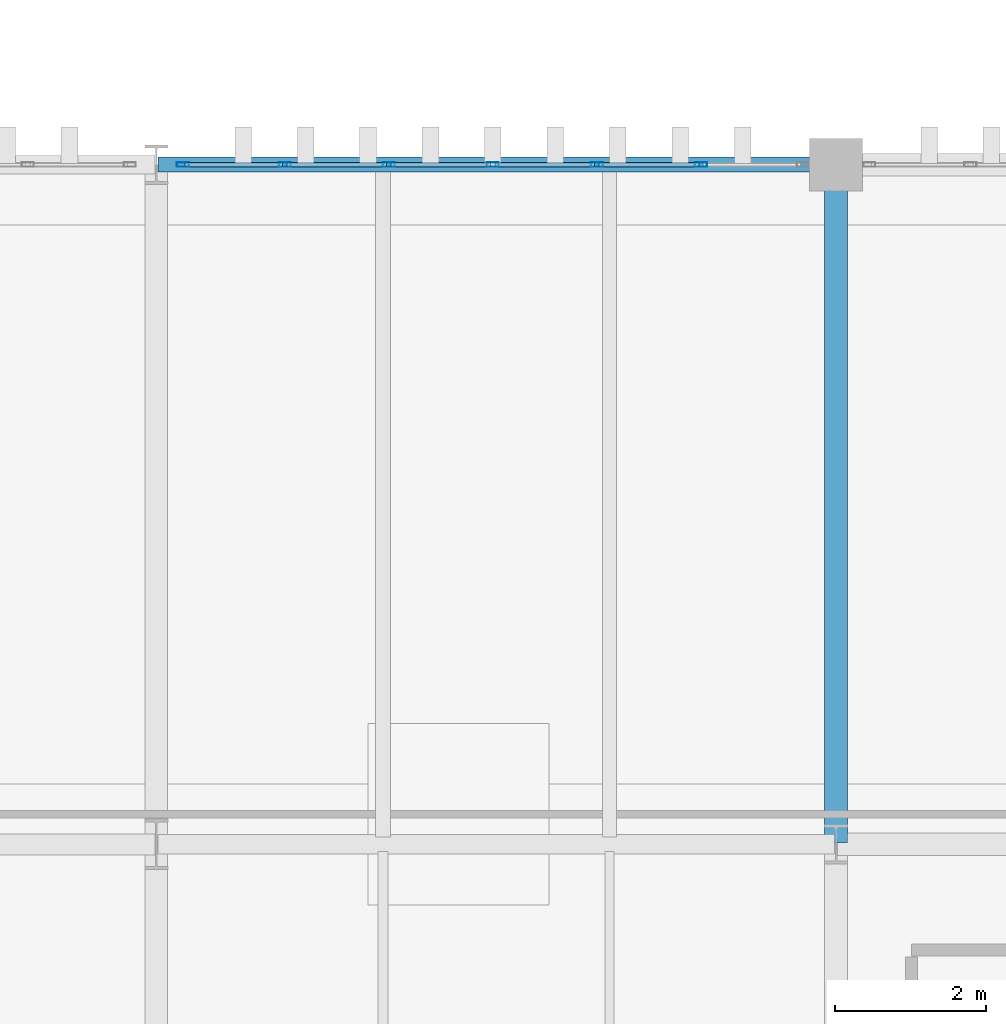
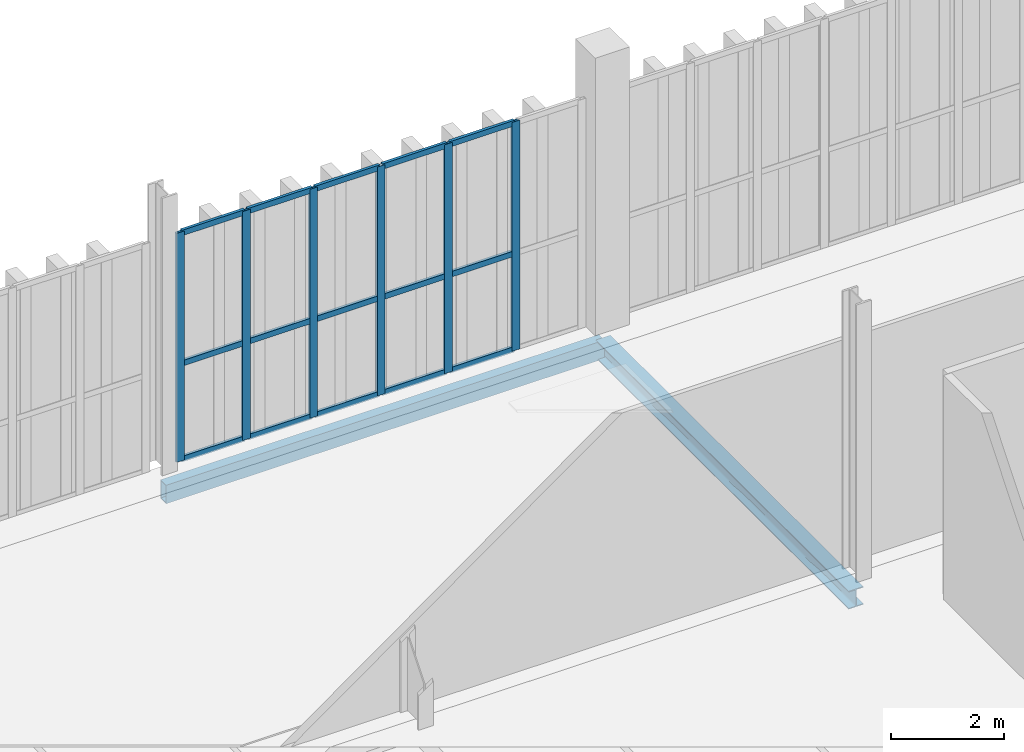
# One storey, part 95 of 211: 21 members, 2 beams, 1 element without a shape of its own.
"""IFC4 building model written with IfcOpenShell, lengths in metres."""

import ifcopenshell
import ifcopenshell.guid

model = None  # the IFC model being written
_history = None  # IfcOwnerHistory: only IFC2X3 demands one
_inside = {}  # id of a spatial element -> (the spatial element, [elements in it])
_under = {}  # id of a project, library or spatial element -> (it, [spatial elements below it])
_declared = {}  # id of a project -> (the project, [libraries it declares])
_typed = {}  # id of a type object -> (the type object, [elements of that type])
_made_of = {}  # id of a material, layer set ... -> (it, [elements and type objects made of it])


def new_model(schema):
    """Start an empty IFC model of exactly this schema.

    Asked for "IFC4X3", IfcOpenShell would pick the latest addendum, in which some entities
    have other attributes; the version numbers below select the first issue.
    IFC2X3 requires an IfcOwnerHistory on every rooted entity: one is made here for all.
    """
    global model, _history
    if schema == "IFC4X3":
        model = ifcopenshell.file(schema_version=(4, 3, 0, 0))
    else:
        model = ifcopenshell.file(schema=schema)
    _inside.clear()
    _under.clear()
    _declared.clear()
    _typed.clear()
    _made_of.clear()
    _history = None
    if model.schema == "IFC2X3":
        org = make("IfcOrganization", Name="unknown")
        user = make(
            "IfcPersonAndOrganization",
            ThePerson=make("IfcPerson", FamilyName="unknown"),
            TheOrganization=org,
        )
        app = make(
            "IfcApplication",
            ApplicationDeveloper=org,
            Version="unknown",
            ApplicationFullName="unknown",
            ApplicationIdentifier="unknown",
        )
        _history = make(
            "IfcOwnerHistory",
            OwningUser=user,
            OwningApplication=app,
            ChangeAction="ADDED",
            CreationDate=0,
        )
    return model


def make(cls, **values):
    """One entity of the class cls with the attributes given. An attribute that is None is left unset."""
    return model.create_entity(
        cls, **{name: value for name, value in values.items() if value is not None}
    )


def rooted(cls, **values):
    """An entity with a GlobalId (a new one), such as an element, a storey or a relation."""
    return make(cls, GlobalId=ifcopenshell.guid.new(), OwnerHistory=_history, **values)


def si_unit(unit_type, name, prefix=None):
    """IfcSIUnit, for example si_unit("LENGTHUNIT", "METRE", prefix="MILLI")."""
    return make("IfcSIUnit", UnitType=unit_type, Prefix=prefix, Name=name)


def assignment(units):
    """IfcUnitAssignment: the units of a project."""
    return None if units is None else make("IfcUnitAssignment", Units=units)


def point(xyz):
    """IfcCartesianPoint."""
    return None if xyz is None else make("IfcCartesianPoint", Coordinates=xyz)


def direction(xyz):
    """IfcDirection."""
    return None if xyz is None else make("IfcDirection", DirectionRatios=xyz)


def frame(location, z_axis=None, x_axis=None):
    """IfcAxis2Placement3D, a coordinate frame: its origin and axes. An axis left out is left unset."""
    return make(
        "IfcAxis2Placement3D",
        Location=point(location),
        Axis=direction(z_axis),
        RefDirection=direction(x_axis),
    )


def frame_2d(location, x_axis=None):
    """IfcAxis2Placement2D, a coordinate frame in the plane: its origin and x axis."""
    return make(
        "IfcAxis2Placement2D", Location=point(location), RefDirection=direction(x_axis)
    )


def origin():
    """The frame at (0, 0, 0) with its axes left unset."""
    return frame((0.0, 0.0, 0.0))


def origin_2d():
    """The frame at (0, 0) in the plane with its x axis left unset."""
    return frame_2d((0.0, 0.0))


def place(relative_to, where):
    """IfcLocalPlacement: puts the frame where relative to a parent placement (None: the world)."""
    return make(
        "IfcLocalPlacement", PlacementRelTo=relative_to, RelativePlacement=where
    )


def context(
    kind, dimensions, precision=None, world=None, true_north=None, identifier=None
):
    """IfcGeometricRepresentationContext, for example the 3D "Model" context."""
    return make(
        "IfcGeometricRepresentationContext",
        ContextIdentifier=identifier,
        ContextType=kind,
        CoordinateSpaceDimension=dimensions,
        Precision=precision,
        WorldCoordinateSystem=world,
        TrueNorth=true_north,
    )


def subcontext(parent, identifier, kind, view, scale=None):
    """IfcGeometricRepresentationSubContext, for example "Body" below "Model"."""
    return make(
        "IfcGeometricRepresentationSubContext",
        ContextIdentifier=identifier,
        ContextType=kind,
        ParentContext=parent,
        TargetScale=scale,
        TargetView=view,
    )


def project(units=None, contexts=None):
    """IfcProject with its units and contexts."""
    return rooted(
        "IfcProject",
        Name="project",
        RepresentationContexts=contexts,
        UnitsInContext=assignment(units),
    )


def spatial(cls, under=None, at=None, **own):
    """A site, building, storey or space (cls), placed at a placement, below another one or the project."""
    s = rooted(cls, ObjectPlacement=at, **own)
    if under is not None:
        _under.setdefault(under.id(), (under, []))[1].append(s)
    return s


def profile(cls, at=None, kind="AREA", **sizes):
    """A parametric profile (cls). Its sizes go by their IFC names, for example OverallWidth=200.0."""
    return make(cls, ProfileType=kind, Position=at, **sizes)


def hollow_rectangle(**sizes):
    """IfcRectangleHollowProfileDef."""
    return profile("IfcRectangleHollowProfileDef", **sizes)


def i_section(**sizes):
    """IfcIShapeProfileDef."""
    return profile("IfcIShapeProfileDef", **sizes)


def extrude(swept, where, along, depth):
    """IfcExtrudedAreaSolid: the profile swept, set in the frame where, extruded along a direction by depth."""
    return make(
        "IfcExtrudedAreaSolid",
        SweptArea=swept,
        Position=where,
        ExtrudedDirection=direction(along),
        Depth=depth,
    )


def shape(context_of_items, identifier, shape_type, items):
    """IfcShapeRepresentation: the items that make up one representation, for example the "Body"."""
    return make(
        "IfcShapeRepresentation",
        ContextOfItems=context_of_items,
        RepresentationIdentifier=identifier,
        RepresentationType=shape_type,
        Items=items,
    )


def material(Name=None, Category=None):
    """IfcMaterial."""
    return make("IfcMaterial", Name=Name, Category=Category)


def layer(
    of_material, thickness, ventilated=None, Name=None, Category=None, Priority=None
):
    """IfcMaterialLayer: one layer of a wall or slab, of a material (None: an air gap)."""
    return make(
        "IfcMaterialLayer",
        Material=of_material,
        LayerThickness=thickness,
        IsVentilated=ventilated,
        Name=Name,
        Category=Category,
        Priority=Priority,
    )


def layer_set(layers, Name=None):
    """IfcMaterialLayerSet."""
    return make("IfcMaterialLayerSet", MaterialLayers=layers, LayerSetName=Name)


def material_profile(
    of_material, cross_section, Name=None, Category=None, Priority=None
):
    """IfcMaterialProfile: a cross section and its material."""
    return make(
        "IfcMaterialProfile",
        Name=Name,
        Material=of_material,
        Profile=cross_section,
        Priority=Priority,
        Category=Category,
    )


def profile_set(profiles, Name=None, composite=None):
    """IfcMaterialProfileSet."""
    return make(
        "IfcMaterialProfileSet",
        Name=Name,
        MaterialProfiles=profiles,
        CompositeProfile=composite,
    )


def made_of(thing, what):
    """Note that an element or type object is made of a material, layer set ...; save() writes the relation."""
    if what is not None:
        _made_of.setdefault(what.id(), (what, []))[1].append(thing)
    return thing


def type_object(cls, material=None, **own):
    """A type object (cls), such as IfcWallType, which elements share."""
    return made_of(rooted(cls, **own), material)


def element(
    cls,
    number,
    at=None,
    inside=None,
    cuts=None,
    type_object=None,
    material=None,
    context=None,
    identifier="Body",
    shape_type=None,
    held_by="IfcProductDefinitionShape",
    body=None,
    shapes=None,
    **own,
):
    """One element of the class cls, such as IfcWall. Its Tag is "e" and its number.

    at: its placement. inside: the storey or other place that contains it. cuts: it is an
    opening in that element (IfcRelVoidsElement). A single representation is given by context,
    identifier, shape_type and body (its items); several are given by shapes. held_by: the class
    of the entity that holds the representations. save() writes the other relations.
    """
    e = rooted(cls, Tag="e%d" % number, ObjectPlacement=at, **own)
    if body is not None:
        shapes = [shape(context, identifier, shape_type, body)]
    if shapes is not None:
        e.Representation = make(held_by, Representations=shapes)
    if inside is not None:
        _inside.setdefault(inside.id(), (inside, []))[1].append(e)
    if cuts is not None:
        rooted(
            "IfcRelVoidsElement", RelatingBuildingElement=cuts, RelatedOpeningElement=e
        )
    if type_object is not None:
        _typed.setdefault(type_object.id(), (type_object, []))[1].append(e)
    return made_of(e, material)


def aggregate(whole, parts):
    """IfcRelAggregates: a whole, such as a stair, and the parts it consists of."""
    return rooted("IfcRelAggregates", RelatingObject=whole, RelatedObjects=parts)


def save(model, path):
    """Write the relations noted so far, then the file.

    IfcRelAggregates (storeys below a building ...), IfcRelContainedInSpatialStructure (elements
    in a storey), IfcRelDefinesByType, IfcRelAssociatesMaterial and IfcRelDeclares: one each for
    every whole, place, type object, material and project.
    """
    for whole, parts in _under.values():
        aggregate(whole, parts)
    for where, things in _inside.values():
        rooted(
            "IfcRelContainedInSpatialStructure",
            RelatedElements=things,
            RelatingStructure=where,
        )
    for kind, things in _typed.values():
        rooted("IfcRelDefinesByType", RelatedObjects=things, RelatingType=kind)
    for what, things in _made_of.values():
        rooted("IfcRelAssociatesMaterial", RelatedObjects=things, RelatingMaterial=what)
    for by, libraries in _declared.values():
        rooted("IfcRelDeclares", RelatingContext=by, RelatedDefinitions=libraries)
    model.write(path)


model = new_model("IFC4")

# Units and contexts
model_context = context("Model", 3, precision=1e-05, world=origin(), true_north=direction((0.0, 1.0)))
body_context = subcontext(model_context, "Body", "Model", "MODEL_VIEW")
ifc_project = project(units=[si_unit("LENGTHUNIT", "METRE"), si_unit("AREAUNIT", "SQUARE_METRE"), si_unit("VOLUMEUNIT", "CUBIC_METRE"), si_unit("PLANEANGLEUNIT", "RADIAN"), si_unit("MASSUNIT", "GRAM", prefix="KILO")], contexts=[model_context])

# Site, building, storey
site_placement = place(None, origin())
site = spatial("IfcSite", under=ifc_project, at=site_placement, CompositionType="ELEMENT")
building_placement = place(site_placement, origin())
building = spatial("IfcBuilding", under=site, at=building_placement, Name="Barlavento Convention Centre", CompositionType="ELEMENT")
storey_placement = place(building_placement, frame((0.0, 0.0, 6.0)))
storey = spatial("IfcBuildingStorey", under=building, at=storey_placement, Name="L01", CompositionType="ELEMENT", Elevation=6.0)

# Curtain wall, members
ifc_material_1 = material(Name="Powder-coated aluminium and Low-E glass", Category="aluminium")
ifc_layer = layer(ifc_material_1, 0.195068359375)
ifc_layer_set = layer_set([ifc_layer], Name="ARC-CW-PATIO-A")
curtain_wall_type = type_object("IfcCurtainWallType", Name="ARC-CW-PATIO-A", PredefinedType="NOTDEFINED", material=ifc_layer_set)
curtain_wall_placement = place(storey_placement, origin())
curtain_wall = element("IfcCurtainWall", 1, at=curtain_wall_placement, inside=storey, type_object=curtain_wall_type, Name="L01 unitised curtain wall CW11", PredefinedType="NOTDEFINED")
ifc_material_2 = material(Name="Powder-coated aluminium", Category="aluminium")
ifc_material_profile_1 = material_profile(ifc_material_2, hollow_rectangle(XDim=0.06005859375, YDim=0.159912109375, WallThickness=0.00390625, at=origin_2d()), Name="AL-MULL 60x160x4")
ifc_profile_set_1 = profile_set([ifc_material_profile_1], Name="Powder-coated aluminium")
member_type_1 = type_object("IfcMemberType", Name="ARC-CWM-60X160", PredefinedType="MULLION", material=ifc_profile_set_1)
member_1_placement = place(storey_placement, frame((144.35205078125, 63.0, 0.0), z_axis=(0.0, 0.0, 1.0), x_axis=(0.0, 1.0, 0.0)))
member_1 = element("IfcMember", 2, at=member_1_placement, type_object=member_type_1, Name="CW11 mullion 1", PredefinedType="MULLION", context=body_context, shape_type="SweptSolid", body=[
    extrude(hollow_rectangle(XDim=0.06005859375, YDim=0.159912109375, WallThickness=0.00390625, at=origin_2d()), origin(), (0.0, 0.0, 1.0), 4.949951171875),
])
member_2_placement = place(storey_placement, frame((145.699951171875, 63.0, 0.0), z_axis=(0.0, 0.0, 1.0), x_axis=(0.0, 1.0, 0.0)))
member_2 = element("IfcMember", 3, at=member_2_placement, type_object=member_type_1, Name="CW11 mullion 2", PredefinedType="MULLION", context=body_context, shape_type="SweptSolid", body=[
    extrude(hollow_rectangle(XDim=0.06005859375, YDim=0.159912109375, WallThickness=0.00390625, at=origin_2d()), origin(), (0.0, 0.0, 1.0), 4.949951171875),
])
member_3_placement = place(storey_placement, frame((147.077880859375, 63.0, 0.0), z_axis=(0.0, 0.0, 1.0), x_axis=(0.0, 1.0, 0.0)))
member_3 = element("IfcMember", 4, at=member_3_placement, type_object=member_type_1, Name="CW11 mullion 3", PredefinedType="MULLION", context=body_context, shape_type="SweptSolid", body=[
    extrude(hollow_rectangle(XDim=0.06005859375, YDim=0.159912109375, WallThickness=0.00390625, at=origin_2d()), origin(), (0.0, 0.0, 1.0), 4.949951171875),
])
member_4_placement = place(storey_placement, frame((148.4560546875, 63.0, 0.0), z_axis=(0.0, 0.0, 1.0), x_axis=(0.0, 1.0, 0.0)))
member_4 = element("IfcMember", 5, at=member_4_placement, type_object=member_type_1, Name="CW11 mullion 4", PredefinedType="MULLION", context=body_context, shape_type="SweptSolid", body=[
    extrude(hollow_rectangle(XDim=0.06005859375, YDim=0.159912109375, WallThickness=0.00390625, at=origin_2d()), origin(), (0.0, 0.0, 1.0), 4.949951171875),
])
member_5_placement = place(storey_placement, frame((149.833984375, 63.0, 0.0), z_axis=(0.0, 0.0, 1.0), x_axis=(0.0, 1.0, 0.0)))
member_5 = element("IfcMember", 6, at=member_5_placement, type_object=member_type_1, Name="CW11 mullion 5", PredefinedType="MULLION", context=body_context, shape_type="SweptSolid", body=[
    extrude(hollow_rectangle(XDim=0.06005859375, YDim=0.159912109375, WallThickness=0.00390625, at=origin_2d()), origin(), (0.0, 0.0, 1.0), 4.949951171875),
])
member_6_placement = place(storey_placement, frame((151.2119140625, 63.0, 0.0), z_axis=(0.0, 0.0, 1.0), x_axis=(0.0, 1.0, 0.0)))
member_6 = element("IfcMember", 7, at=member_6_placement, type_object=member_type_1, Name="CW11 mullion 6", PredefinedType="MULLION", context=body_context, shape_type="SweptSolid", body=[
    extrude(hollow_rectangle(XDim=0.06005859375, YDim=0.159912109375, WallThickness=0.00390625, at=origin_2d()), origin(), (0.0, 0.0, 1.0), 4.949951171875),
])
ifc_material_profile_2 = material_profile(ifc_material_2, hollow_rectangle(XDim=0.06005859375, YDim=0.1201171875, WallThickness=0.00390625, at=origin_2d()), Name="AL-TRAN 60x120x4")
ifc_profile_set_2 = profile_set([ifc_material_profile_2], Name="Powder-coated aluminium")
member_type_2 = type_object("IfcMemberType", Name="ARC-CWT-60X120", PredefinedType="USERDEFINED", material=ifc_profile_set_2)
member_7_placement = place(storey_placement, frame((144.382080078125, 63.0, 0.030029296875), z_axis=(1.0, 0.0, 0.0), x_axis=(0.0, 1.0, 0.0)))
member_7 = element("IfcMember", 8, at=member_7_placement, type_object=member_type_2, Name="CW11 transom 1.1", ObjectType="TRANSOM", PredefinedType="USERDEFINED", context=body_context, shape_type="SweptSolid", body=[
    extrude(hollow_rectangle(XDim=0.06005859375, YDim=0.1201171875, WallThickness=0.00390625, at=origin_2d()), origin(), (0.0, 0.0, 1.0), 1.287841796875),
])
member_8_placement = place(storey_placement, frame((144.382080078125, 63.0, 2.10009765625), z_axis=(1.0, 0.0, 0.0), x_axis=(0.0, 1.0, 0.0)))
member_8 = element("IfcMember", 9, at=member_8_placement, type_object=member_type_2, Name="CW11 transom 1.2", ObjectType="TRANSOM", PredefinedType="USERDEFINED", context=body_context, shape_type="SweptSolid", body=[
    extrude(hollow_rectangle(XDim=0.06005859375, YDim=0.1201171875, WallThickness=0.00390625, at=origin_2d()), origin(), (0.0, 0.0, 1.0), 1.287841796875),
])
member_9_placement = place(storey_placement, frame((144.382080078125, 63.0, 4.919921875), z_axis=(1.0, 0.0, 0.0), x_axis=(0.0, 1.0, 0.0)))
member_9 = element("IfcMember", 10, at=member_9_placement, type_object=member_type_2, Name="CW11 transom 1.3", ObjectType="TRANSOM", PredefinedType="USERDEFINED", context=body_context, shape_type="SweptSolid", body=[
    extrude(hollow_rectangle(XDim=0.06005859375, YDim=0.1201171875, WallThickness=0.00390625, at=origin_2d()), origin(), (0.0, 0.0, 1.0), 1.287841796875),
])
member_10_placement = place(storey_placement, frame((145.72998046875, 63.0, 0.030029296875), z_axis=(1.0, 0.0, 0.0), x_axis=(0.0, 1.0, 0.0)))
member_10 = element("IfcMember", 11, at=member_10_placement, type_object=member_type_2, Name="CW11 transom 2.1", ObjectType="TRANSOM", PredefinedType="USERDEFINED", context=body_context, shape_type="SweptSolid", body=[
    extrude(hollow_rectangle(XDim=0.06005859375, YDim=0.1201171875, WallThickness=0.00390625, at=origin_2d()), origin(), (0.0, 0.0, 1.0), 1.318115234375),
])
member_11_placement = place(storey_placement, frame((145.72998046875, 63.0, 2.10009765625), z_axis=(1.0, 0.0, 0.0), x_axis=(0.0, 1.0, 0.0)))
member_11 = element("IfcMember", 12, at=member_11_placement, type_object=member_type_2, Name="CW11 transom 2.2", ObjectType="TRANSOM", PredefinedType="USERDEFINED", context=body_context, shape_type="SweptSolid", body=[
    extrude(hollow_rectangle(XDim=0.06005859375, YDim=0.1201171875, WallThickness=0.00390625, at=origin_2d()), origin(), (0.0, 0.0, 1.0), 1.318115234375),
])
member_12_placement = place(storey_placement, frame((145.72998046875, 63.0, 4.919921875), z_axis=(1.0, 0.0, 0.0), x_axis=(0.0, 1.0, 0.0)))
member_12 = element("IfcMember", 13, at=member_12_placement, type_object=member_type_2, Name="CW11 transom 2.3", ObjectType="TRANSOM", PredefinedType="USERDEFINED", context=body_context, shape_type="SweptSolid", body=[
    extrude(hollow_rectangle(XDim=0.06005859375, YDim=0.1201171875, WallThickness=0.00390625, at=origin_2d()), origin(), (0.0, 0.0, 1.0), 1.318115234375),
])
member_13_placement = place(storey_placement, frame((147.10791015625, 63.0, 0.030029296875), z_axis=(1.0, 0.0, 0.0), x_axis=(0.0, 1.0, 0.0)))
member_13 = element("IfcMember", 14, at=member_13_placement, type_object=member_type_2, Name="CW11 transom 3.1", ObjectType="TRANSOM", PredefinedType="USERDEFINED", context=body_context, shape_type="SweptSolid", body=[
    extrude(hollow_rectangle(XDim=0.06005859375, YDim=0.1201171875, WallThickness=0.00390625, at=origin_2d()), origin(), (0.0, 0.0, 1.0), 1.318115234375),
])
member_14_placement = place(storey_placement, frame((147.10791015625, 63.0, 2.10009765625), z_axis=(1.0, 0.0, 0.0), x_axis=(0.0, 1.0, 0.0)))
member_14 = element("IfcMember", 15, at=member_14_placement, type_object=member_type_2, Name="CW11 transom 3.2", ObjectType="TRANSOM", PredefinedType="USERDEFINED", context=body_context, shape_type="SweptSolid", body=[
    extrude(hollow_rectangle(XDim=0.06005859375, YDim=0.1201171875, WallThickness=0.00390625, at=origin_2d()), origin(), (0.0, 0.0, 1.0), 1.318115234375),
])
member_15_placement = place(storey_placement, frame((147.10791015625, 63.0, 4.919921875), z_axis=(1.0, 0.0, 0.0), x_axis=(0.0, 1.0, 0.0)))
member_15 = element("IfcMember", 16, at=member_15_placement, type_object=member_type_2, Name="CW11 transom 3.3", ObjectType="TRANSOM", PredefinedType="USERDEFINED", context=body_context, shape_type="SweptSolid", body=[
    extrude(hollow_rectangle(XDim=0.06005859375, YDim=0.1201171875, WallThickness=0.00390625, at=origin_2d()), origin(), (0.0, 0.0, 1.0), 1.318115234375),
])
member_16_placement = place(storey_placement, frame((148.486083984375, 63.0, 0.030029296875), z_axis=(1.0, 0.0, 0.0), x_axis=(0.0, 1.0, 0.0)))
member_16 = element("IfcMember", 17, at=member_16_placement, type_object=member_type_2, Name="CW11 transom 4.1", ObjectType="TRANSOM", PredefinedType="USERDEFINED", context=body_context, shape_type="SweptSolid", body=[
    extrude(hollow_rectangle(XDim=0.06005859375, YDim=0.1201171875, WallThickness=0.00390625, at=origin_2d()), origin(), (0.0, 0.0, 1.0), 1.31787109375),
])
member_17_placement = place(storey_placement, frame((148.486083984375, 63.0, 2.10009765625), z_axis=(1.0, 0.0, 0.0), x_axis=(0.0, 1.0, 0.0)))
member_17 = element("IfcMember", 18, at=member_17_placement, type_object=member_type_2, Name="CW11 transom 4.2", ObjectType="TRANSOM", PredefinedType="USERDEFINED", context=body_context, shape_type="SweptSolid", body=[
    extrude(hollow_rectangle(XDim=0.06005859375, YDim=0.1201171875, WallThickness=0.00390625, at=origin_2d()), origin(), (0.0, 0.0, 1.0), 1.31787109375),
])
member_18_placement = place(storey_placement, frame((148.486083984375, 63.0, 4.919921875), z_axis=(1.0, 0.0, 0.0), x_axis=(0.0, 1.0, 0.0)))
member_18 = element("IfcMember", 19, at=member_18_placement, type_object=member_type_2, Name="CW11 transom 4.3", ObjectType="TRANSOM", PredefinedType="USERDEFINED", context=body_context, shape_type="SweptSolid", body=[
    extrude(hollow_rectangle(XDim=0.06005859375, YDim=0.1201171875, WallThickness=0.00390625, at=origin_2d()), origin(), (0.0, 0.0, 1.0), 1.31787109375),
])
member_19_placement = place(storey_placement, frame((149.864013671875, 63.0, 0.030029296875), z_axis=(1.0, 0.0, 0.0), x_axis=(0.0, 1.0, 0.0)))
member_19 = element("IfcMember", 20, at=member_19_placement, type_object=member_type_2, Name="CW11 transom 5.1", ObjectType="TRANSOM", PredefinedType="USERDEFINED", context=body_context, shape_type="SweptSolid", body=[
    extrude(hollow_rectangle(XDim=0.06005859375, YDim=0.1201171875, WallThickness=0.00390625, at=origin_2d()), origin(), (0.0, 0.0, 1.0), 1.31787109375),
])
member_20_placement = place(storey_placement, frame((149.864013671875, 63.0, 2.10009765625), z_axis=(1.0, 0.0, 0.0), x_axis=(0.0, 1.0, 0.0)))
member_20 = element("IfcMember", 21, at=member_20_placement, type_object=member_type_2, Name="CW11 transom 5.2", ObjectType="TRANSOM", PredefinedType="USERDEFINED", context=body_context, shape_type="SweptSolid", body=[
    extrude(hollow_rectangle(XDim=0.06005859375, YDim=0.1201171875, WallThickness=0.00390625, at=origin_2d()), origin(), (0.0, 0.0, 1.0), 1.31787109375),
])
member_21_placement = place(storey_placement, frame((149.864013671875, 63.0, 4.919921875), z_axis=(1.0, 0.0, 0.0), x_axis=(0.0, 1.0, 0.0)))
member_21 = element("IfcMember", 22, at=member_21_placement, type_object=member_type_2, Name="CW11 transom 5.3", ObjectType="TRANSOM", PredefinedType="USERDEFINED", context=body_context, shape_type="SweptSolid", body=[
    extrude(hollow_rectangle(XDim=0.06005859375, YDim=0.1201171875, WallThickness=0.00390625, at=origin_2d()), origin(), (0.0, 0.0, 1.0), 1.31787109375),
])
aggregate(curtain_wall, [member_1, member_2, member_3, member_4, member_5, member_6, member_7, member_8, member_9, member_10, member_11, member_12, member_13, member_14, member_15, member_16, member_17, member_18, member_19, member_20, member_21])

# Beams
ifc_material_3 = material(Name="Steel S355", Category="steel")
ifc_material_profile_3 = material_profile(ifc_material_3, i_section(OverallWidth=0.300048828125, OverallDepth=0.389892578125, WebThickness=0.010986328125, FlangeThickness=0.01904296875, FilletRadius=0.027099609375, at=origin_2d()), Name="HEA 400")
ifc_profile_set_3 = profile_set([ifc_material_profile_3], Name="Steel S355")
beam_type_1 = type_object("IfcBeamType", Name="STR-BM-PRI-HEA400", PredefinedType="BEAM", material=ifc_profile_set_3)
beam_1_placement = place(storey_placement, frame((153.0, 54.02001953125, -0.554931640625), z_axis=(0.0, 1.0, 0.0), x_axis=(-1.0, 0.0, 0.0)))
element("IfcBeam", 23, at=beam_1_placement, inside=storey, type_object=beam_type_1, Name="L01 grid girder BG22", PredefinedType="BEAM", context=body_context, shape_type="SweptSolid", body=[
    extrude(i_section(OverallWidth=0.300048828125, OverallDepth=0.389892578125, WebThickness=0.010986328125, FlangeThickness=0.01904296875, FilletRadius=0.027099609375, at=origin_2d()), origin(), (0.0, 0.0, 1.0), 8.9599609375),
])
ifc_material_profile_4 = material_profile(ifc_material_3, hollow_rectangle(XDim=0.199951171875, YDim=0.39990234375, WallThickness=0.01611328125, at=origin_2d()), Name="RHS 400x200x16.0")
ifc_profile_set_4 = profile_set([ifc_material_profile_4], Name="Steel S355")
beam_type_2 = type_object("IfcBeamType", Name="STR-BM-SPN-RHS400", PredefinedType="SPANDREL", material=ifc_profile_set_4)
beam_2_placement = place(storey_placement, frame((144.02001953125, 63.0, -0.56005859375), z_axis=(1.0, 0.0, 0.0), x_axis=(0.0, 1.0, 0.0)))
element("IfcBeam", 24, at=beam_2_placement, inside=storey, type_object=beam_type_2, Name="L01 primary girder SP06", PredefinedType="SPANDREL", context=body_context, shape_type="SweptSolid", body=[
    extrude(hollow_rectangle(XDim=0.199951171875, YDim=0.39990234375, WallThickness=0.01611328125, at=origin_2d()), origin(), (0.0, 0.0, 1.0), 8.9599609375),
])

save(model, "model.ifc")
